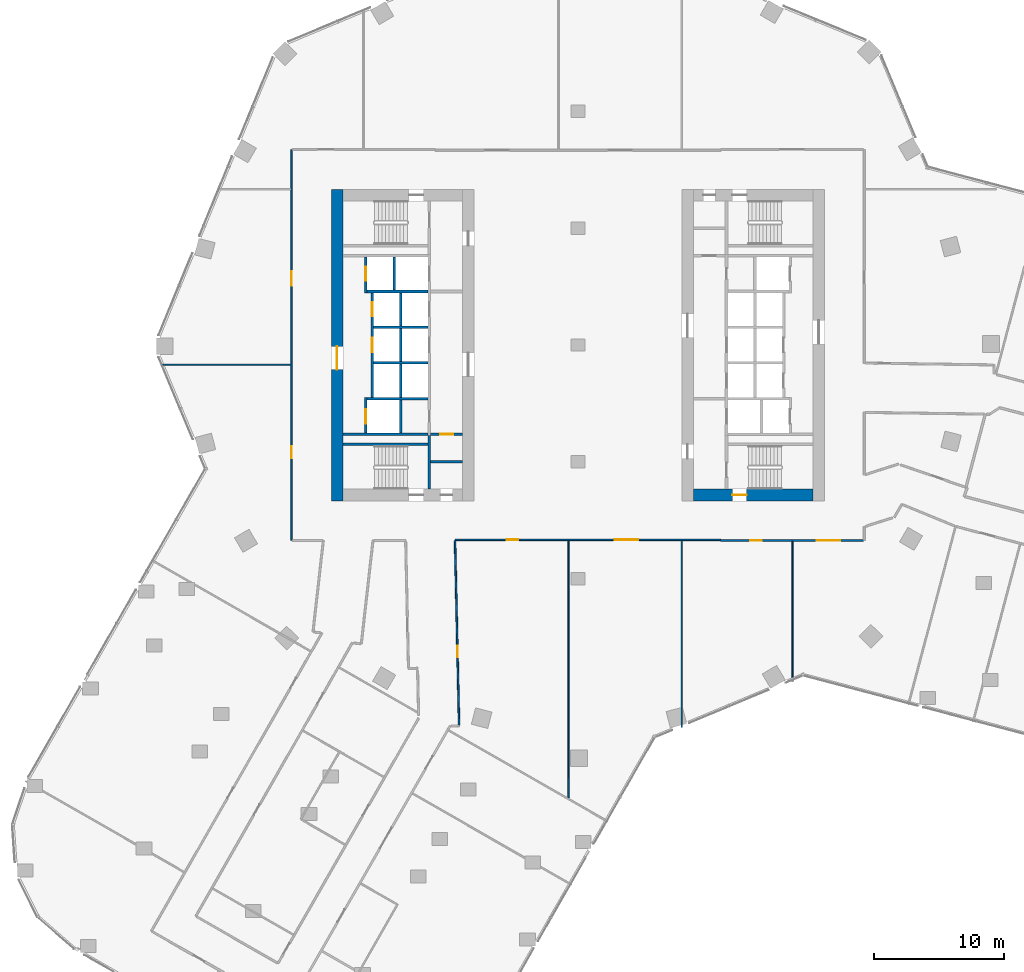
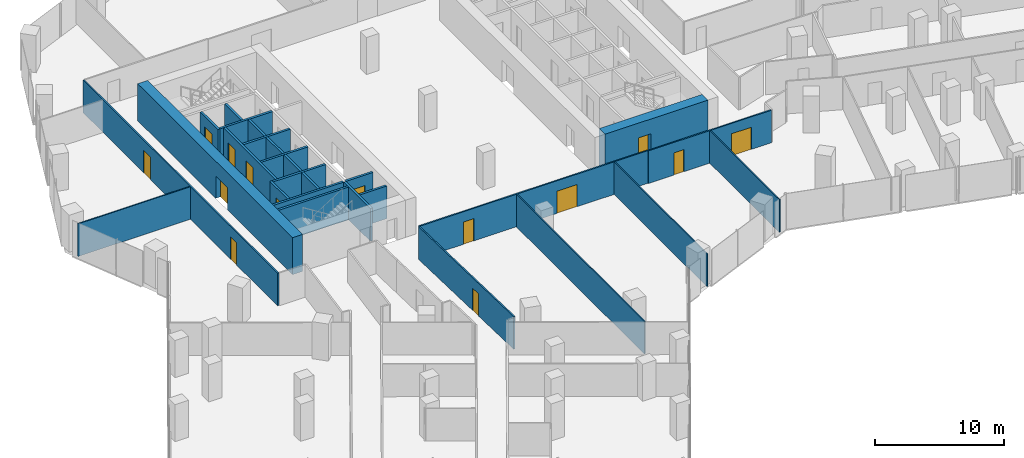
# One storey, part 27 of 34: 27 walls, 14 doors, 14 openings.
"""IFC4 building model written with IfcOpenShell, lengths in metres."""

from ifc_helpers import new_model, si_unit, direction, frame, frame_2d, origin, place, context, subcontext, project, spatial, rectangle, extrude, material, layer, layer_set, type_object, element, fill, save


model = new_model("IFC4")

# Units and contexts
model_context = context("Model", 3, precision=1e-05, world=origin(), true_north=direction((0.0, 1.0)))
body_context = subcontext(model_context, "Body", "Model", "MODEL_VIEW")
ifc_project = project(units=[si_unit("LENGTHUNIT", "METRE"), si_unit("AREAUNIT", "SQUARE_METRE"), si_unit("VOLUMEUNIT", "CUBIC_METRE"), si_unit("PLANEANGLEUNIT", "RADIAN"), si_unit("MASSUNIT", "GRAM", prefix="KILO")], contexts=[model_context])

# Site, building, storey
site_placement = place(None, origin())
site = spatial("IfcSite", under=ifc_project, at=site_placement, CompositionType="ELEMENT")
building_placement = place(site_placement, origin())
building = spatial("IfcBuilding", under=site, at=building_placement, Name="Orlundy Tower", CompositionType="ELEMENT")
storey_placement = place(building_placement, frame((0.0, 0.0, 109.199951171875)))
storey = spatial("IfcBuildingStorey", under=building, at=storey_placement, Name="L27", CompositionType="ELEMENT", Elevation=109.199951171875)

# Wall, opening, door
ifc_material_1 = material(Name="Concrete C80/95", Category="concrete")
ifc_layer_1 = layer(ifc_material_1, 0.89990234375)
ifc_layer_set_1 = layer_set([ifc_layer_1], Name="CORE WALL 900 C80/95")
wall_type_1 = type_object("IfcWallType", Name="CORE WALL 900 C80/95", PredefinedType="SHEAR", material=ifc_layer_set_1)
wall_1_placement = place(storey_placement, frame((-18.550048828125, -12.0, 0.0), z_axis=(0.0, 0.0, 1.0), x_axis=(0.0, 1.0, 0.0)))
wall_1 = element("IfcWall", 1, at=wall_1_placement, inside=storey, type_object=wall_type_1, Name="Core wall W-W L27", PredefinedType="SHEAR", context=body_context, shape_type="SweptSolid", body=[
    extrude(rectangle(XDim=24.0, YDim=0.89990234375, at=frame_2d((12.0, 0.0))), origin(), (0.0, 0.0, 1.0), 3.5),
])
opening_1_placement = place(wall_1_placement, frame((10.10009765625, 0.0, 0.0)))
opening_1 = element("IfcOpeningElement", 2, at=opening_1_placement, cuts=wall_1, Name="Opening 21010", PredefinedType="OPENING", context=body_context, shape_type="SweptSolid", body=[
    extrude(rectangle(XDim=1.800048828125, YDim=2.10009765625, at=frame_2d((0.89990234375, 1.050048828125))), frame((0.0, 0.4599609375, 0.0), z_axis=(0.0, -1.0, 0.0), x_axis=(1.0, 0.0, 0.0)), (0.0, 0.0, 1.0), 0.919921875),
])
ifc_material_2 = material(Name="Timber door set", Category="wood")
door_type_1 = type_object("IfcDoorType", Name="Lobby Door 1800x2100", OperationType="DOUBLE_DOOR_DOUBLE_SWING", PredefinedType="DOOR", material=ifc_material_2)
door_1_placement = place(opening_1_placement, origin())
door_1 = element("IfcDoor", 3, at=door_1_placement, inside=storey, type_object=door_type_1, Name="Lift lobby door 21010", OperationType="SINGLE_SWING_LEFT", OverallHeight=2.10009765625, OverallWidth=1.800048828125, PredefinedType="DOOR", context=body_context, shape_type="SweptSolid", body=[
    extrude(rectangle(XDim=1.800048828125, YDim=2.10009765625, at=frame_2d((0.89990234375, 1.050048828125))), frame((0.0, 0.02490234375, 0.0), z_axis=(0.0, -1.0, 0.0), x_axis=(1.0, 0.0, 0.0)), (0.0, 0.0, 1.0), 0.050048828125),
])
fill(opening_1, door_1)

wall_2_placement = place(storey_placement, frame((8.89990234375, -11.550048828125, 0.0), z_axis=(0.0, 0.0, 1.0), x_axis=(1.0, 0.0, 0.0)))
wall_2 = element("IfcWall", 4, at=wall_2_placement, inside=storey, type_object=wall_type_1, Name="Core wall E-S L27", PredefinedType="SHEAR", context=body_context, shape_type="SweptSolid", body=[
    extrude(rectangle(XDim=9.2001953125, YDim=0.89990234375, at=frame_2d((4.60009765625, 0.0))), origin(), (0.0, 0.0, 1.0), 3.5),
])
opening_2_placement = place(wall_2_placement, frame((3.0, 0.0, 0.0)))
opening_2 = element("IfcOpeningElement", 5, at=opening_2_placement, cuts=wall_2, Name="Opening 21061", PredefinedType="OPENING", context=body_context, shape_type="SweptSolid", body=[
    extrude(rectangle(XDim=1.10009765625, YDim=2.10009765625, at=frame_2d((0.550048828125, 1.050048828125))), frame((0.0, 0.4599609375, 0.0), z_axis=(0.0, -1.0, 0.0), x_axis=(1.0, 0.0, 0.0)), (0.0, 0.0, 1.0), 0.919921875),
])
ifc_material_3 = material(Name="Steel door set", Category="steel")
door_type_2 = type_object("IfcDoorType", Name="Stair Door 1100x2100", OperationType="SINGLE_SWING_LEFT", PredefinedType="DOOR", material=ifc_material_3)
door_2_placement = place(opening_2_placement, origin())
door_2 = element("IfcDoor", 6, at=door_2_placement, inside=storey, type_object=door_type_2, Name="Stair door 21061", OperationType="SINGLE_SWING_LEFT", OverallHeight=2.10009765625, OverallWidth=1.10009765625, PredefinedType="DOOR", context=body_context, shape_type="SweptSolid", body=[
    extrude(rectangle(XDim=1.10009765625, YDim=2.10009765625, at=frame_2d((0.550048828125, 1.050048828125))), frame((0.0, 0.02490234375, 0.0), z_axis=(0.0, -1.0, 0.0), x_axis=(1.0, 0.0, 0.0)), (0.0, 0.0, 1.0), 0.050048828125),
])
fill(opening_2, door_2)

# Walls
ifc_material_4 = material(Name="Gypsum board partition")
ifc_layer_2 = layer(ifc_material_4, 0.10009765625)
ifc_layer_set_2 = layer_set([ifc_layer_2], Name="Floor partition 100")
wall_type_2 = type_object("IfcWallType", Name="Floor partition 100", PredefinedType="PARTITIONING", material=ifc_layer_set_2)
wall_3_placement = place(storey_placement, frame((-32.14599609375, -1.52392578125, 0.0), z_axis=(0.0, 0.0, 1.0), x_axis=(1.0, 0.0, 0.0)))
element("IfcWall", 7, at=wall_3_placement, inside=storey, type_object=wall_type_2, Name="wall-int-L27-035", PredefinedType="PARTITIONING", context=body_context, shape_type="SweptSolid", body=[
    extrude(rectangle(XDim=10.032958984375, YDim=0.10009765625, at=frame_2d((5.0166015625, 0.0))), origin(), (0.0, 0.0, 1.0), 3.080078125),
])
wall_4_placement = place(storey_placement, frame((16.52099609375, -25.882080078125, 0.0), z_axis=(0.0, 0.0, 1.0), x_axis=(0.0, 1.0, 0.0)))
element("IfcWall", 8, at=wall_4_placement, inside=storey, type_object=wall_type_2, Name="wall-int-L27-076", PredefinedType="PARTITIONING", context=body_context, shape_type="SweptSolid", body=[
    extrude(rectangle(XDim=10.76806640625, YDim=0.10009765625, at=frame_2d((5.384033203125, 0.0))), origin(), (0.0, 0.0, 1.0), 3.080078125),
])
wall_5_placement = place(storey_placement, frame((8.0, -29.44091796875, 0.0), z_axis=(0.0, 0.0, 1.0), x_axis=(0.0, 1.0, 0.0)))
element("IfcWall", 9, at=wall_5_placement, inside=storey, type_object=wall_type_2, Name="wall-int-L27-077", PredefinedType="PARTITIONING", context=body_context, shape_type="SweptSolid", body=[
    extrude(rectangle(XDim=14.3779296875, YDim=0.10009765625, at=frame_2d((7.18896484375, 0.0))), origin(), (0.0, 0.0, 1.0), 3.080078125),
])
wall_6_placement = place(storey_placement, frame((-0.735107421875, -34.8740234375, 0.0), z_axis=(0.0, 0.0, 1.0), x_axis=(6.1614294e-05, 0.999999998102, 0.0)))
element("IfcWall", 10, at=wall_6_placement, inside=storey, type_object=wall_type_2, Name="wall-int-L27-079", PredefinedType="PARTITIONING", context=body_context, shape_type="SweptSolid", body=[
    extrude(rectangle(XDim=19.81201171875, YDim=0.10009765625, at=frame_2d((9.906005859375, 0.0))), origin(), (0.0, 0.0, 1.0), 3.080078125),
])

# Wall, opening, door
ifc_material_5 = material(Name="Gypsum board partition, double layer")
ifc_layer_3 = layer(ifc_material_5, 0.125)
ifc_layer_set_3 = layer_set([ifc_layer_3], Name="Floor partition 125")
wall_type_3 = type_object("IfcWallType", Name="Floor partition 125", PredefinedType="PARTITIONING", material=ifc_layer_set_3)
wall_7_placement = place(storey_placement, frame((-9.467041015625, -15.06201171875, 0.0), z_axis=(0.0, 0.0, 1.0), x_axis=(0.021956487302, -0.999758927275, 0.0)))
wall_7 = element("IfcWall", 11, at=wall_7_placement, inside=storey, type_object=wall_type_3, Name="wall-int-L27-004", PredefinedType="PARTITIONING", context=body_context, shape_type="SweptSolid", body=[
    extrude(rectangle(XDim=14.21044921875, YDim=0.125, at=frame_2d((7.105224609375, 0.0))), origin(), (0.0, 0.0, 1.0), 3.080078125),
])
opening_3_placement = place(wall_7_placement, frame((8.09521484375, 0.0, 0.0)))
opening_3 = element("IfcOpeningElement", 12, at=opening_3_placement, cuts=wall_7, Name="Opening 21121", PredefinedType="OPENING", context=body_context, shape_type="SweptSolid", body=[
    extrude(rectangle(XDim=0.89990234375, YDim=2.10009765625, at=frame_2d((0.449951171875, 1.050048828125))), frame((0.0, 0.072509765625, 0.0), z_axis=(0.0, -1.0, 0.0), x_axis=(1.0, 0.0, 0.0)), (0.0, 0.0, 1.0), 0.14501953125),
])
ifc_material_6 = material(Name="Timber door leaf", Category="wood")
door_type_3 = type_object("IfcDoorType", Name="Floor door single 900 FD30S", OperationType="NOTDEFINED", PredefinedType="DOOR", material=ifc_material_6)
door_3_placement = place(opening_3_placement, origin())
door_3 = element("IfcDoor", 13, at=door_3_placement, inside=storey, type_object=door_type_3, Name="Door 21121", OperationType="SINGLE_SWING_RIGHT", OverallHeight=2.10009765625, OverallWidth=0.89990234375, PredefinedType="DOOR", context=body_context, shape_type="SweptSolid", body=[
    extrude(rectangle(XDim=0.89990234375, YDim=2.10009765625, at=frame_2d((0.449951171875, 1.050048828125))), frame((0.0, 0.02490234375, 0.0), z_axis=(0.0, -1.0, 0.0), x_axis=(1.0, 0.0, 0.0)), (0.0, 0.0, 1.0), 0.050048828125),
])
fill(opening_3, door_3)

# Wall, openings, doors
wall_8_placement = place(storey_placement, frame((21.988037109375, -15.051025390625, 0.0), z_axis=(0.0, 0.0, 1.0), x_axis=(-1.0, 0.0, 0.0)))
wall_8 = element("IfcWall", 14, at=wall_8_placement, inside=storey, type_object=wall_type_3, Name="wall-int-L27-033", PredefinedType="PARTITIONING", context=body_context, shape_type="SweptSolid", body=[
    extrude(rectangle(XDim=10.9970703125, YDim=0.125, at=frame_2d((5.49853515625, 0.0))), origin(), (0.0, 0.0, 1.0), 3.080078125),
])
opening_4_placement = place(wall_8_placement, frame((7.81640625, 0.0, 0.0)))
opening_4 = element("IfcOpeningElement", 15, at=opening_4_placement, cuts=wall_8, Name="Opening 21124", PredefinedType="OPENING", context=body_context, shape_type="SweptSolid", body=[
    extrude(rectangle(XDim=0.89990234375, YDim=2.10009765625, at=frame_2d((0.449951171875, 1.050048828125))), frame((0.0, 0.072509765625, 0.0), z_axis=(0.0, -1.0, 0.0), x_axis=(1.0, 0.0, 0.0)), (0.0, 0.0, 1.0), 0.14501953125),
])
opening_5_placement = place(wall_8_placement, frame((1.78759765625, 0.0, 0.0)))
opening_5 = element("IfcOpeningElement", 16, at=opening_5_placement, cuts=wall_8, Name="Opening 21125", PredefinedType="OPENING", context=body_context, shape_type="SweptSolid", body=[
    extrude(rectangle(XDim=1.800048828125, YDim=2.10009765625, at=frame_2d((0.89990234375, 1.050048828125))), frame((0.0, 0.072509765625, 0.0), z_axis=(0.0, -1.0, 0.0), x_axis=(1.0, 0.0, 0.0)), (0.0, 0.0, 1.0), 0.14501953125),
])
ifc_material_7 = material(Name="Timber door leaf", Category="wood")
door_type_4 = type_object("IfcDoorType", Name="Floor door double 1800 FD30S", OperationType="NOTDEFINED", PredefinedType="DOOR", material=ifc_material_7)
door_4_placement = place(opening_5_placement, origin())
door_4 = element("IfcDoor", 17, at=door_4_placement, inside=storey, type_object=door_type_4, Name="Door 21125", OperationType="DOUBLE_DOOR_SINGLE_SWING", OverallHeight=2.10009765625, OverallWidth=1.800048828125, PredefinedType="DOOR", context=body_context, shape_type="SweptSolid", body=[
    extrude(rectangle(XDim=1.800048828125, YDim=2.10009765625, at=frame_2d((0.89990234375, 1.050048828125))), frame((0.0, 0.02490234375, 0.0), z_axis=(0.0, -1.0, 0.0), x_axis=(1.0, 0.0, 0.0)), (0.0, 0.0, 1.0), 0.050048828125),
])
fill(opening_5, door_4)
door_5_placement = place(opening_4_placement, origin())
door_5 = element("IfcDoor", 18, at=door_5_placement, inside=storey, type_object=door_type_3, Name="Door 21124", OperationType="SINGLE_SWING_RIGHT", OverallHeight=2.10009765625, OverallWidth=0.89990234375, PredefinedType="DOOR", context=body_context, shape_type="SweptSolid", body=[
    extrude(rectangle(XDim=0.89990234375, YDim=2.10009765625, at=frame_2d((0.449951171875, 1.050048828125))), frame((0.0, 0.02490234375, 0.0), z_axis=(0.0, -1.0, 0.0), x_axis=(1.0, 0.0, 0.0)), (0.0, 0.0, 1.0), 0.050048828125),
])
fill(opening_4, door_5)

wall_9_placement = place(storey_placement, frame((10.989990234375, -15.0, 0.0), z_axis=(0.0, 0.0, 1.0), x_axis=(-1.0, 0.0, 0.0)))
wall_9 = element("IfcWall", 19, at=wall_9_placement, inside=storey, type_object=wall_type_3, Name="wall-int-L27-034", PredefinedType="PARTITIONING", context=body_context, shape_type="SweptSolid", body=[
    extrude(rectangle(XDim=20.4580078125, YDim=0.125, at=frame_2d((10.22900390625, 0.0))), origin(), (0.0, 0.0, 1.0), 3.080078125),
])
opening_6_placement = place(wall_9_placement, frame((15.573974609375, 0.0, 0.0)))
opening_6 = element("IfcOpeningElement", 20, at=opening_6_placement, cuts=wall_9, Name="Opening 21122", PredefinedType="OPENING", context=body_context, shape_type="SweptSolid", body=[
    extrude(rectangle(XDim=0.89990234375, YDim=2.10009765625, at=frame_2d((0.449951171875, 1.050048828125))), frame((0.0, 0.072509765625, 0.0), z_axis=(0.0, -1.0, 0.0), x_axis=(1.0, 0.0, 0.0)), (0.0, 0.0, 1.0), 0.14501953125),
])
opening_7_placement = place(wall_9_placement, frame((6.340087890625, 0.0, 0.0)))
opening_7 = element("IfcOpeningElement", 21, at=opening_7_placement, cuts=wall_9, Name="Opening 21123", PredefinedType="OPENING", context=body_context, shape_type="SweptSolid", body=[
    extrude(rectangle(XDim=1.800048828125, YDim=2.10009765625, at=frame_2d((0.89990234375, 1.050048828125))), frame((0.0, 0.072509765625, 0.0), z_axis=(0.0, -1.0, 0.0), x_axis=(1.0, 0.0, 0.0)), (0.0, 0.0, 1.0), 0.14501953125),
])
door_6_placement = place(opening_7_placement, origin())
door_6 = element("IfcDoor", 22, at=door_6_placement, inside=storey, type_object=door_type_4, Name="Door 21123", OperationType="DOUBLE_DOOR_SINGLE_SWING", OverallHeight=2.10009765625, OverallWidth=1.800048828125, PredefinedType="DOOR", context=body_context, shape_type="SweptSolid", body=[
    extrude(rectangle(XDim=1.800048828125, YDim=2.10009765625, at=frame_2d((0.89990234375, 1.050048828125))), frame((0.0, 0.02490234375, 0.0), z_axis=(0.0, -1.0, 0.0), x_axis=(1.0, 0.0, 0.0)), (0.0, 0.0, 1.0), 0.050048828125),
])
fill(opening_7, door_6)
door_7_placement = place(opening_6_placement, origin())
door_7 = element("IfcDoor", 23, at=door_7_placement, inside=storey, type_object=door_type_3, Name="Door 21122", OperationType="SINGLE_SWING_RIGHT", OverallHeight=2.10009765625, OverallWidth=0.89990234375, PredefinedType="DOOR", context=body_context, shape_type="SweptSolid", body=[
    extrude(rectangle(XDim=0.89990234375, YDim=2.10009765625, at=frame_2d((0.449951171875, 1.050048828125))), frame((0.0, 0.02490234375, 0.0), z_axis=(0.0, -1.0, 0.0), x_axis=(1.0, 0.0, 0.0)), (0.0, 0.0, 1.0), 0.050048828125),
])
fill(opening_6, door_7)

wall_10_placement = place(storey_placement, frame((-22.050048828125, -15.051025390625, 0.0), z_axis=(0.0, 0.0, 1.0), x_axis=(0.0, 1.0, 0.0)))
wall_10 = element("IfcWall", 24, at=wall_10_placement, inside=storey, type_object=wall_type_3, Name="wall-int-L27-082", PredefinedType="PARTITIONING", context=body_context, shape_type="SweptSolid", body=[
    extrude(rectangle(XDim=30.10205078125, YDim=0.125, at=frame_2d((15.051025390625, 0.0))), origin(), (0.0, 0.0, 1.0), 3.080078125),
])
opening_8_placement = place(wall_10_placement, frame((6.35009765625, 0.0, 0.0)))
opening_8 = element("IfcOpeningElement", 25, at=opening_8_placement, cuts=wall_10, Name="Opening 21119", PredefinedType="OPENING", context=body_context, shape_type="SweptSolid", body=[
    extrude(rectangle(XDim=0.89990234375, YDim=2.10009765625, at=frame_2d((0.449951171875, 1.050048828125))), frame((0.0, 0.072509765625, 0.0), z_axis=(0.0, -1.0, 0.0), x_axis=(1.0, 0.0, 0.0)), (0.0, 0.0, 1.0), 0.14501953125),
])
opening_9_placement = place(wall_10_placement, frame((19.626953125, 0.0, 0.0)))
opening_9 = element("IfcOpeningElement", 26, at=opening_9_placement, cuts=wall_10, Name="Opening 21133", PredefinedType="OPENING", context=body_context, shape_type="SweptSolid", body=[
    extrude(rectangle(XDim=1.10009765625, YDim=2.10009765625, at=frame_2d((0.550048828125, 1.050048828125))), frame((0.0, 0.072509765625, 0.0), z_axis=(0.0, -1.0, 0.0), x_axis=(1.0, 0.0, 0.0)), (0.0, 0.0, 1.0), 0.14501953125),
])
door_8_placement = place(opening_8_placement, origin())
door_8 = element("IfcDoor", 27, at=door_8_placement, inside=storey, type_object=door_type_3, Name="Door 21119", OperationType="SINGLE_SWING_LEFT", OverallHeight=2.10009765625, OverallWidth=0.89990234375, PredefinedType="DOOR", context=body_context, shape_type="SweptSolid", body=[
    extrude(rectangle(XDim=0.89990234375, YDim=2.10009765625, at=frame_2d((0.449951171875, 1.050048828125))), frame((0.0, 0.02490234375, 0.0), z_axis=(0.0, -1.0, 0.0), x_axis=(1.0, 0.0, 0.0)), (0.0, 0.0, 1.0), 0.050048828125),
])
fill(opening_8, door_8)
ifc_material_8 = material(Name="Timber door leaf", Category="wood")
door_type_5 = type_object("IfcDoorType", Name="Floor door xwide 1100 FD30S", OperationType="NOTDEFINED", PredefinedType="DOOR", material=ifc_material_8)
door_9_placement = place(opening_9_placement, origin())
door_9 = element("IfcDoor", 28, at=door_9_placement, inside=storey, type_object=door_type_5, Name="Door 21133", OperationType="SINGLE_SWING_RIGHT", OverallHeight=2.10009765625, OverallWidth=1.10009765625, PredefinedType="DOOR", context=body_context, shape_type="SweptSolid", body=[
    extrude(rectangle(XDim=1.10009765625, YDim=2.10009765625, at=frame_2d((0.550048828125, 1.050048828125))), frame((0.0, 0.02490234375, 0.0), z_axis=(0.0, -1.0, 0.0), x_axis=(1.0, 0.0, 0.0)), (0.0, 0.0, 1.0), 0.050048828125),
])
fill(opening_9, door_9)

# Walls
ifc_material_9 = material(Name="Concrete C40/50", Category="concrete")
ifc_layer_4 = layer(ifc_material_9, 0.199951171875)
ifc_layer_set_4 = layer_set([ifc_layer_4], Name="Load-bearing Shaft Wall 200")
wall_type_4 = type_object("IfcWallType", Name="Load-bearing Shaft Wall 200", PredefinedType="SOLIDWALL", material=ifc_layer_set_4)
wall_11_placement = place(storey_placement, frame((-11.43994140625, -11.10009765625, 0.0), z_axis=(0.0, 0.0, 1.0), x_axis=(0.0, 1.0, 0.0)))
element("IfcWall", 29, at=wall_11_placement, inside=storey, type_object=wall_type_4, Name="Shaft wall W21-stair-end-s", PredefinedType="SOLIDWALL", context=body_context, shape_type="SweptSolid", body=[
    extrude(rectangle(XDim=4.125, YDim=0.199951171875, at=frame_2d((2.0625, 0.0))), origin(), (0.0, 0.0, 1.0), 3.090087890625),
])
wall_12_placement = place(storey_placement, frame((-11.5400390625, -7.64990234375, 0.0), z_axis=(0.0, 0.0, 1.0), x_axis=(-1.0, 0.0, 0.0)))
element("IfcWall", 30, at=wall_12_placement, inside=storey, type_object=wall_type_4, Name="Shaft wall W21-stair-side-s", PredefinedType="SOLIDWALL", context=body_context, shape_type="SweptSolid", body=[
    extrude(rectangle(XDim=6.56005859375, YDim=0.199951171875, at=frame_2d((3.280029296875, 0.0))), origin(), (0.0, 0.0, 1.0), 3.090087890625),
])

# Wall, opening, door
ifc_material_10 = material(Name="Gypsum board partition on steel studs", Category="steel")
ifc_layer_5 = layer(ifc_material_10, 0.199951171875)
ifc_layer_set_5 = layer_set([ifc_layer_5], Name="Partition 200")
wall_type_5 = type_object("IfcWallType", Name="Partition 200", PredefinedType="PARTITIONING", material=ifc_layer_set_5)
wall_13_placement = place(storey_placement, frame((-8.89990234375, -6.875, 0.0), z_axis=(0.0, 0.0, 1.0), x_axis=(-1.0, 0.0, 0.0)))
wall_13 = element("IfcWall", 31, at=wall_13_placement, inside=storey, type_object=wall_type_5, Name="Partition wall W21-end-s", PredefinedType="PARTITIONING", context=body_context, shape_type="SweptSolid", body=[
    extrude(rectangle(XDim=2.440185546875, YDim=0.199951171875, at=frame_2d((1.22021484375, 0.0))), origin(), (0.0, 0.0, 1.0), 3.090087890625),
])
opening_10_placement = place(wall_13_placement, frame((0.719970703125, 0.0, 0.0)))
opening_10 = element("IfcOpeningElement", 32, at=opening_10_placement, cuts=wall_13, Name="Opening 21016", PredefinedType="OPENING", context=body_context, shape_type="SweptSolid", body=[
    extrude(rectangle(XDim=1.0, YDim=2.10009765625, at=frame_2d((0.5, 1.050048828125))), frame((0.0, 0.110107421875, 0.0), z_axis=(0.0, -1.0, 0.0), x_axis=(1.0, 0.0, 0.0)), (0.0, 0.0, 1.0), 0.22021484375),
])
ifc_material_11 = material(Name="Timber door set", Category="wood")
door_type_6 = type_object("IfcDoorType", Name="Accessible Door 1000x2100", OperationType="SINGLE_SWING_LEFT", PredefinedType="DOOR", material=ifc_material_11)
door_10_placement = place(opening_10_placement, origin())
door_10 = element("IfcDoor", 33, at=door_10_placement, inside=storey, type_object=door_type_6, Name="Accessible WC door 21016", OperationType="SINGLE_SWING_RIGHT", OverallHeight=2.10009765625, OverallWidth=1.0, PredefinedType="DOOR", context=body_context, shape_type="SweptSolid", body=[
    extrude(rectangle(XDim=1.0, YDim=2.10009765625, at=frame_2d((0.5, 1.050048828125))), frame((0.0, 0.02490234375, 0.0), z_axis=(0.0, -1.0, 0.0), x_axis=(1.0, 0.0, 0.0)), (0.0, 0.0, 1.0), 0.050048828125),
])
fill(opening_10, door_10)

# Walls
wall_14_placement = place(storey_placement, frame((-8.89990234375, -9.0, 0.0), z_axis=(0.0, 0.0, 1.0), x_axis=(-1.0, 0.0, 0.0)))
element("IfcWall", 34, at=wall_14_placement, inside=storey, type_object=wall_type_5, Name="Partition wall W21-room-s0", PredefinedType="PARTITIONING", context=body_context, shape_type="SweptSolid", body=[
    extrude(rectangle(XDim=2.440185546875, YDim=0.199951171875, at=frame_2d((1.22021484375, 0.0))), origin(), (0.0, 0.0, 1.0), 3.090087890625),
])
ifc_material_12 = material(Name="Fire-rated blockwork shaft wall", Category="masonry")
ifc_layer_6 = layer(ifc_material_12, 0.199951171875)
ifc_layer_set_6 = layer_set([ifc_layer_6], Name="Shaft Wall 200")
wall_type_6 = type_object("IfcWallType", Name="Shaft Wall 200", PredefinedType="SOLIDWALL", material=ifc_layer_set_6)
wall_15_placement = place(storey_placement, frame((-11.5400390625, -6.875, 0.0), z_axis=(0.0, 0.0, 1.0), x_axis=(-1.0, 0.0, 0.0)))
element("IfcWall", 35, at=wall_15_placement, inside=storey, type_object=wall_type_6, Name="Shaft wall W21-zone-s", PredefinedType="SOLIDWALL", context=body_context, shape_type="SweptSolid", body=[
    extrude(rectangle(XDim=6.56005859375, YDim=0.199951171875, at=frame_2d((3.280029296875, 0.0))), origin(), (0.0, 0.0, 1.0), 3.090087890625),
])
wall_16_placement = place(storey_placement, frame((-11.5400390625, -4.125, 0.0), z_axis=(0.0, 0.0, 1.0), x_axis=(-1.0, 0.0, 0.0)))
element("IfcWall", 36, at=wall_16_placement, inside=storey, type_object=wall_type_6, Name="Shaft wall W21-cross-4.125", PredefinedType="SOLIDWALL", context=body_context, shape_type="SweptSolid", body=[
    extrude(rectangle(XDim=4.699951171875, YDim=0.199951171875, at=frame_2d((2.35009765625, 0.0))), origin(), (0.0, 0.0, 1.0), 3.090087890625),
])
for number, where, z_axis, x_axis, name in (
    (37, (-11.5400390625, -1.375, 0.0), (0.0, 0.0, 1.0), (-1.0, 0.0, 0.0), "Shaft wall W21-cross-1.375"),
    (38, (-11.5400390625, 1.375, 0.0), (0.0, 0.0, 1.0), (-1.0, 0.0, 0.0), "Shaft wall W21-cross+1.375"),
):
    element("IfcWall", number, at=place(storey_placement, frame(where, z_axis=z_axis, x_axis=x_axis)), inside=storey, type_object=wall_type_6, Name=name, PredefinedType="SOLIDWALL", context=body_context, shape_type="SweptSolid", body=[
        extrude(rectangle(XDim=4.199951171875, YDim=0.199951171875, at=frame_2d((2.10009765625, 0.0))), origin(), (0.0, 0.0, 1.0), 3.090087890625),
    ])
wall_17_placement = place(storey_placement, frame((-11.5400390625, 4.125, 0.0), z_axis=(0.0, 0.0, 1.0), x_axis=(-1.0, 0.0, 0.0)))
element("IfcWall", 39, at=wall_17_placement, inside=storey, type_object=wall_type_6, Name="Shaft wall W21-cross+4.125", PredefinedType="SOLIDWALL", context=body_context, shape_type="SweptSolid", body=[
    extrude(rectangle(XDim=4.699951171875, YDim=0.199951171875, at=frame_2d((2.35009765625, 0.0))), origin(), (0.0, 0.0, 1.0), 3.090087890625),
])
for number, where, z_axis, x_axis, name in (
    (40, (-13.639892578125, -6.77490234375, 0.0), (0.0, 0.0, 1.0), (0.0, 1.0, 0.0), "Shaft wall W21-mid-a"),
    (41, (-13.639892578125, -4.02490234375, 0.0), (0.0, 0.0, 1.0), (0.0, 1.0, 0.0), "Shaft wall W21-mid-a.1"),
    (42, (-13.639892578125, -1.27490234375, 0.0), (0.0, 0.0, 1.0), (0.0, 1.0, 0.0), "Shaft wall W21-mid-a.2"),
    (43, (-13.639892578125, 1.47509765625, 0.0), (0.0, 0.0, 1.0), (0.0, 1.0, 0.0), "Shaft wall W21-mid-a.3"),
    (44, (-14.139892578125, 4.22509765625, 0.0), (0.0, 0.0, 1.0), (0.0, 1.0, 0.0), "Shaft wall W21-mid-b"),
):
    element("IfcWall", number, at=place(storey_placement, frame(where, z_axis=z_axis, x_axis=x_axis)), inside=storey, type_object=wall_type_6, Name=name, PredefinedType="SOLIDWALL", context=body_context, shape_type="SweptSolid", body=[
        extrude(rectangle(XDim=2.5498046875, YDim=0.199951171875, at=frame_2d((1.27490234375, 0.0))), origin(), (0.0, 0.0, 1.0), 3.090087890625),
    ])

# Wall, opening, door
wall_18_placement = place(storey_placement, frame((-16.340087890625, -6.77490234375, 0.0), z_axis=(0.0, 0.0, 1.0), x_axis=(0.0, 1.0, 0.0)))
wall_18 = element("IfcWall", 45, at=wall_18_placement, inside=storey, type_object=wall_type_6, Name="Shaft wall W21-front-o-a", PredefinedType="SOLIDWALL", context=body_context, shape_type="SweptSolid", body=[
    extrude(rectangle(XDim=2.75, YDim=0.199951171875, at=frame_2d((1.375, 0.0))), origin(), (0.0, 0.0, 1.0), 3.090087890625),
])
opening_11_placement = place(wall_18_placement, frame((0.72509765625, 0.0, 0.0)))
opening_11 = element("IfcOpeningElement", 46, at=opening_11_placement, cuts=wall_18, Name="Opening 21001", PredefinedType="OPENING", context=body_context, shape_type="SweptSolid", body=[
    extrude(rectangle(XDim=1.10009765625, YDim=2.10009765625, at=frame_2d((0.550048828125, 1.050048828125))), frame((0.0, 0.110107421875, 0.0), z_axis=(0.0, -1.0, 0.0), x_axis=(1.0, 0.0, 0.0)), (0.0, 0.0, 1.0), 0.22021484375),
])
ifc_material_13 = material(Name="Steel door set", Category="steel")
door_type_7 = type_object("IfcDoorType", Name="Landing Door 1100x2100", OperationType="DOUBLE_DOOR_SLIDING", PredefinedType="DOOR", material=ifc_material_13)
door_11_placement = place(opening_11_placement, origin())
door_11 = element("IfcDoor", 47, at=door_11_placement, inside=storey, type_object=door_type_7, Name="Lift landing door LV-01 21001", OperationType="DOUBLE_DOOR_SLIDING", OverallHeight=2.10009765625, OverallWidth=1.10009765625, PredefinedType="DOOR", context=body_context, shape_type="SweptSolid", body=[
    extrude(rectangle(XDim=1.10009765625, YDim=2.10009765625, at=frame_2d((0.550048828125, 1.050048828125))), frame((0.0, 0.02490234375, 0.0), z_axis=(0.0, -1.0, 0.0), x_axis=(1.0, 0.0, 0.0)), (0.0, 0.0, 1.0), 0.050048828125),
])
fill(opening_11, door_11)

# Wall, openings, doors
wall_19_placement = place(storey_placement, frame((-15.840087890625, -4.02490234375, 0.0), z_axis=(0.0, 0.0, 1.0), x_axis=(0.0, 1.0, 0.0)))
wall_19 = element("IfcWall", 48, at=wall_19_placement, inside=storey, type_object=wall_type_6, Name="Shaft wall W21-front-o-b", PredefinedType="SOLIDWALL", context=body_context, shape_type="SweptSolid", body=[
    extrude(rectangle(XDim=8.0498046875, YDim=0.199951171875, at=frame_2d((4.02490234375, 0.0))), origin(), (0.0, 0.0, 1.0), 3.090087890625),
])
opening_12_placement = place(wall_19_placement, frame((3.47509765625, 0.0, 0.0)))
opening_12 = element("IfcOpeningElement", 49, at=opening_12_placement, cuts=wall_19, Name="Opening 21003", PredefinedType="OPENING", context=body_context, shape_type="SweptSolid", body=[
    extrude(rectangle(XDim=1.10009765625, YDim=2.10009765625, at=frame_2d((0.550048828125, 1.050048828125))), frame((0.0, 0.110107421875, 0.0), z_axis=(0.0, -1.0, 0.0), x_axis=(1.0, 0.0, 0.0)), (0.0, 0.0, 1.0), 0.22021484375),
])
opening_13_placement = place(wall_19_placement, frame((6.22509765625, 0.0, 0.0)))
opening_13 = element("IfcOpeningElement", 50, at=opening_13_placement, cuts=wall_19, Name="Opening 21005", PredefinedType="OPENING", context=body_context, shape_type="SweptSolid", body=[
    extrude(rectangle(XDim=1.10009765625, YDim=2.10009765625, at=frame_2d((0.550048828125, 1.050048828125))), frame((0.0, 0.110107421875, 0.0), z_axis=(0.0, -1.0, 0.0), x_axis=(1.0, 0.0, 0.0)), (0.0, 0.0, 1.0), 0.22021484375),
])
door_12_placement = place(opening_12_placement, origin())
door_12 = element("IfcDoor", 51, at=door_12_placement, inside=storey, type_object=door_type_7, Name="Lift landing door LP-01 21003", OperationType="DOUBLE_DOOR_SLIDING", OverallHeight=2.10009765625, OverallWidth=1.10009765625, PredefinedType="DOOR", context=body_context, shape_type="SweptSolid", body=[
    extrude(rectangle(XDim=1.10009765625, YDim=2.10009765625, at=frame_2d((0.550048828125, 1.050048828125))), frame((0.0, 0.02490234375, 0.0), z_axis=(0.0, -1.0, 0.0), x_axis=(1.0, 0.0, 0.0)), (0.0, 0.0, 1.0), 0.050048828125),
])
fill(opening_12, door_12)
door_13_placement = place(opening_13_placement, origin())
door_13 = element("IfcDoor", 52, at=door_13_placement, inside=storey, type_object=door_type_7, Name="Lift landing door LP-03 21005", OperationType="DOUBLE_DOOR_SLIDING", OverallHeight=2.10009765625, OverallWidth=1.10009765625, PredefinedType="DOOR", context=body_context, shape_type="SweptSolid", body=[
    extrude(rectangle(XDim=1.10009765625, YDim=2.10009765625, at=frame_2d((0.550048828125, 1.050048828125))), frame((0.0, 0.02490234375, 0.0), z_axis=(0.0, -1.0, 0.0), x_axis=(1.0, 0.0, 0.0)), (0.0, 0.0, 1.0), 0.050048828125),
])
fill(opening_13, door_13)

# Wall, opening, door
wall_20_placement = place(storey_placement, frame((-16.340087890625, 4.02490234375, 0.0), z_axis=(0.0, 0.0, 1.0), x_axis=(0.0, 1.0, 0.0)))
wall_20 = element("IfcWall", 53, at=wall_20_placement, inside=storey, type_object=wall_type_6, Name="Shaft wall W21-front-o-c", PredefinedType="SOLIDWALL", context=body_context, shape_type="SweptSolid", body=[
    extrude(rectangle(XDim=2.75, YDim=0.199951171875, at=frame_2d((1.375, 0.0))), origin(), (0.0, 0.0, 1.0), 3.090087890625),
])
opening_14_placement = place(wall_20_placement, frame((0.925048828125, 0.0, 0.0)))
opening_14 = element("IfcOpeningElement", 54, at=opening_14_placement, cuts=wall_20, Name="Opening 21007", PredefinedType="OPENING", context=body_context, shape_type="SweptSolid", body=[
    extrude(rectangle(XDim=1.10009765625, YDim=2.10009765625, at=frame_2d((0.550048828125, 1.050048828125))), frame((0.0, 0.110107421875, 0.0), z_axis=(0.0, -1.0, 0.0), x_axis=(1.0, 0.0, 0.0)), (0.0, 0.0, 1.0), 0.22021484375),
])
door_14_placement = place(opening_14_placement, origin())
door_14 = element("IfcDoor", 55, at=door_14_placement, inside=storey, type_object=door_type_7, Name="Lift landing door LP-04 21007", OperationType="DOUBLE_DOOR_SLIDING", OverallHeight=2.10009765625, OverallWidth=1.10009765625, PredefinedType="DOOR", context=body_context, shape_type="SweptSolid", body=[
    extrude(rectangle(XDim=1.10009765625, YDim=2.10009765625, at=frame_2d((0.550048828125, 1.050048828125))), frame((0.0, 0.02490234375, 0.0), z_axis=(0.0, -1.0, 0.0), x_axis=(1.0, 0.0, 0.0)), (0.0, 0.0, 1.0), 0.050048828125),
])
fill(opening_14, door_14)

save(model, "model.ifc")
